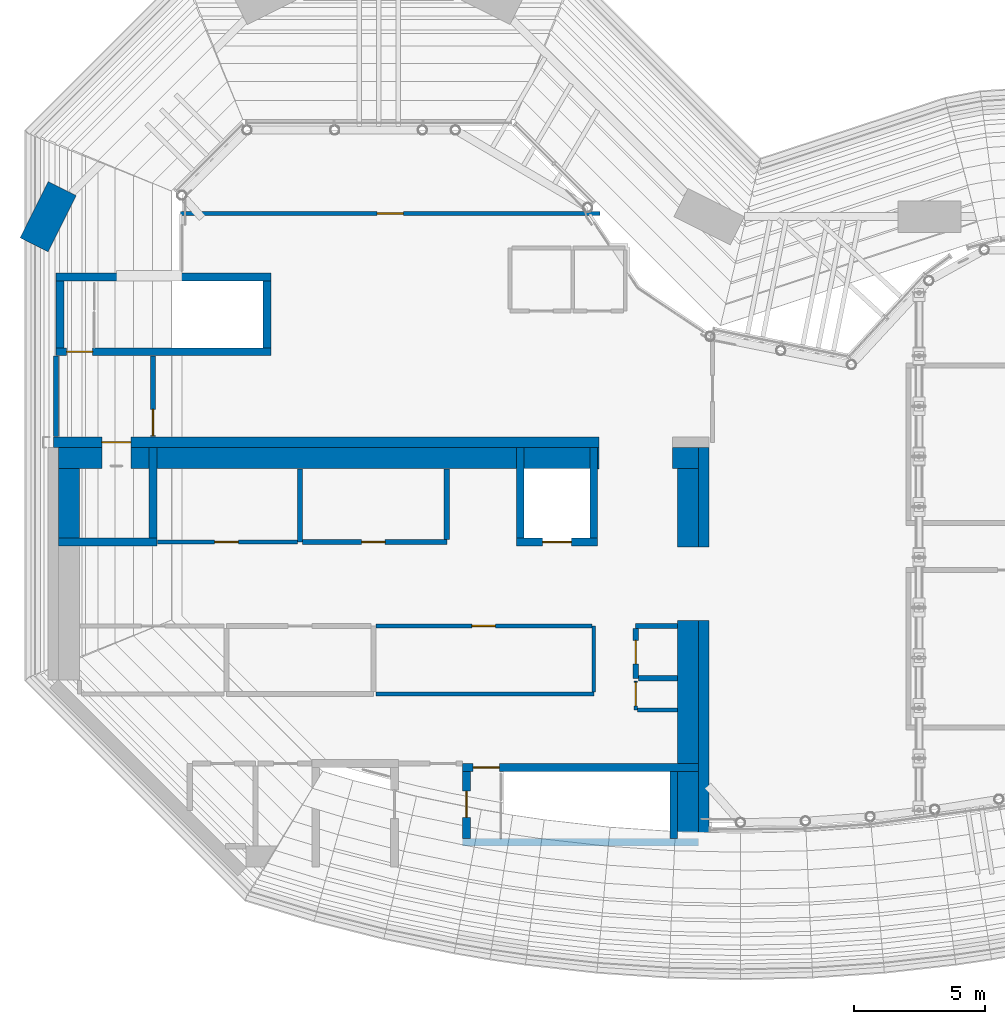
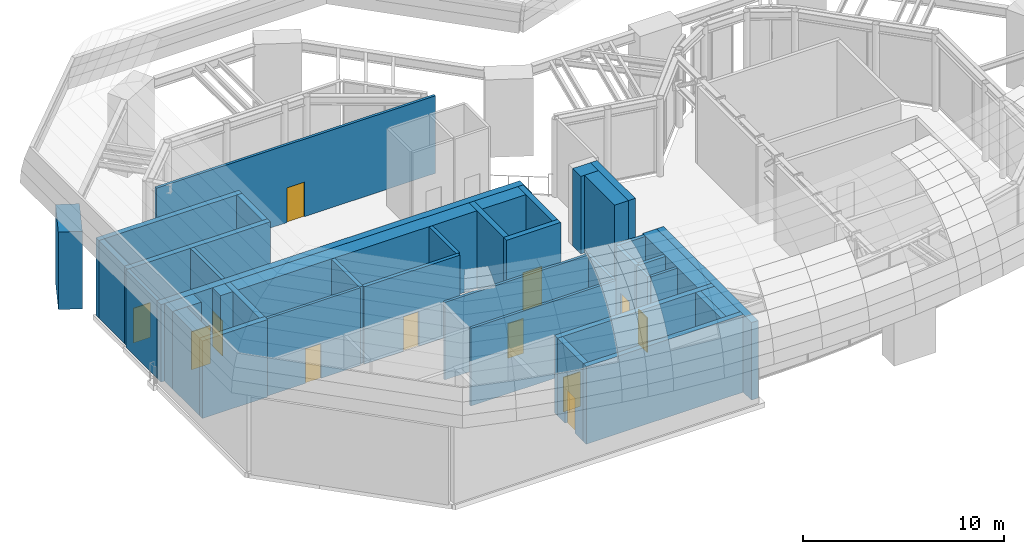
# One storey, part 17 of 20: 42 walls, 12 doors, 12 openings.
"""IFC4 building model written with IfcOpenShell, lengths in metres."""

from ifc_helpers import new_model, si_unit, direction, frame, frame_2d, origin, place, context, subcontext, project, spatial, rectangle, extrude, material, layer, layer_set, type_object, element, fill, save


model = new_model("IFC4")

# Units and contexts
model_context = context("Model", 3, precision=1e-05, world=origin(), true_north=direction((0.0, 1.0)))
body_context = subcontext(model_context, "Body", "Model", "MODEL_VIEW")
ifc_project = project(units=[si_unit("LENGTHUNIT", "METRE"), si_unit("AREAUNIT", "SQUARE_METRE"), si_unit("VOLUMEUNIT", "CUBIC_METRE"), si_unit("PLANEANGLEUNIT", "RADIAN"), si_unit("MASSUNIT", "GRAM", prefix="KILO")], contexts=[model_context])

# Site, building, storey
site_placement = place(None, origin())
site = spatial("IfcSite", under=ifc_project, at=site_placement, CompositionType="ELEMENT")
building_placement = place(site_placement, origin())
building = spatial("IfcBuilding", under=site, at=building_placement, Name="Brevane Broadcast Tower", CompositionType="ELEMENT")
storey_placement = place(building_placement, frame((0.0, 0.0, 264.199951171875)))
storey = spatial("IfcBuildingStorey", under=building, at=storey_placement, Name="L66", CompositionType="ELEMENT", Elevation=264.199951171875)

# Walls
ifc_material_1 = material(Name="Concrete C60/75", Category="concrete")
ifc_layer_1 = layer(ifc_material_1, 1.199951171875)
ifc_layer_set_1 = layer_set([ifc_layer_1], Name="CONCRETE CANOPY PIER WALL 1200 C60/75")
wall_type_1 = type_object("IfcWallType", Name="CONCRETE CANOPY PIER WALL 1200 C60/75", PredefinedType="SOLIDWALL", material=ifc_layer_set_1)
wall_1_placement = place(storey_placement, frame((0.53662109375, 26.273193359375, 0.0), z_axis=(0.0, 0.0, 1.0), x_axis=(-0.4472135955, -0.894427191, 0.0)))
element("IfcWall", 1, at=wall_1_placement, inside=storey, type_object=wall_type_1, Name="CP1 1", PredefinedType="SOLIDWALL", context=body_context, shape_type="SweptSolid", body=[
    extrude(rectangle(XDim=2.39990234375, YDim=1.199951171875, at=frame_2d((1.199951171875, 0.0))), origin(), (0.0, 0.0, 1.0), 4.699951171875),
])
ifc_material_2 = material(Name="Concrete C32/40", Category="concrete")
ifc_layer_2 = layer(ifc_material_2, 0.800048828125)
ifc_layer_set_2 = layer_set([ifc_layer_2], Name="Core chase wall 800 mm")
wall_type_2 = type_object("IfcWallType", Name="Core chase wall 800 mm", PredefinedType="PARTITIONING", material=ifc_layer_set_2)
wall_2_placement = place(storey_placement, frame((24.39990234375, 12.60009765625, 0.0), z_axis=(0.0, 0.0, 1.0), x_axis=(0.0, 1.0, 0.0)))
element("IfcWall", 2, at=wall_2_placement, inside=storey, type_object=wall_type_2, Name="L66 chase wall LE2", PredefinedType="PARTITIONING", context=body_context, shape_type="SweptSolid", body=[
    extrude(rectangle(XDim=3.0, YDim=0.800048828125, at=frame_2d((1.5, 0.0))), origin(), (0.0, 0.0, 1.0), 4.699951171875),
])
wall_3_placement = place(storey_placement, frame((0.39990234375, 16.0, 0.0), z_axis=(0.0, 0.0, 1.0), x_axis=(1.0, 0.0, 0.0)))
element("IfcWall", 3, at=wall_3_placement, inside=storey, type_object=wall_type_2, Name="L66 chase wall LN0", PredefinedType="PARTITIONING", context=body_context, shape_type="SweptSolid", body=[
    extrude(rectangle(XDim=1.650146484375, YDim=0.800048828125, at=frame_2d((0.8251953125, 0.0))), origin(), (0.0, 0.0, 1.0), 4.699951171875),
])
wall_4_placement = place(storey_placement, frame((23.800048828125, 16.0, 0.0), z_axis=(0.0, 0.0, 1.0), x_axis=(1.0, 0.0, 0.0)))
element("IfcWall", 4, at=wall_4_placement, inside=storey, type_object=wall_type_2, Name="L66 chase wall LN2", PredefinedType="PARTITIONING", context=body_context, shape_type="SweptSolid", body=[
    extrude(rectangle(XDim=1.0, YDim=0.800048828125, at=frame_2d((0.5, 0.0))), origin(), (0.0, 0.0, 1.0), 4.699951171875),
])
wall_5_placement = place(storey_placement, frame((0.800048828125, 12.949951171875, 0.0), z_axis=(0.0, 0.0, 1.0), x_axis=(0.0, 1.0, 0.0)))
element("IfcWall", 5, at=wall_5_placement, inside=storey, type_object=wall_type_2, Name="L66 chase wall LW-2", PredefinedType="PARTITIONING", context=body_context, shape_type="SweptSolid", body=[
    extrude(rectangle(XDim=2.650146484375, YDim=0.800048828125, at=frame_2d((1.3251953125, 0.0))), origin(), (0.0, 0.0, 1.0), 4.699951171875),
])
wall_6_placement = place(storey_placement, frame((3.14990234375, 16.0, 0.0), z_axis=(0.0, 0.0, 1.0), x_axis=(1.0, 0.0, 0.0)))
element("IfcWall", 6, at=wall_6_placement, inside=storey, type_object=wall_type_2, Name="L66 chase wall LN1-1", PredefinedType="PARTITIONING", context=body_context, shape_type="SweptSolid", body=[
    extrude(rectangle(XDim=0.7001953125, YDim=0.800048828125, at=frame_2d((0.35009765625, 0.0))), origin(), (0.0, 0.0, 1.0), 4.699951171875),
])
wall_7_placement = place(storey_placement, frame((4.14990234375, 16.0, 0.0), z_axis=(0.0, 0.0, 1.0), x_axis=(1.0, 0.0, 0.0)))
element("IfcWall", 7, at=wall_7_placement, inside=storey, type_object=wall_type_2, Name="L66 chase wall LN1-2-1", PredefinedType="PARTITIONING", context=body_context, shape_type="SweptSolid", body=[
    extrude(rectangle(XDim=13.7001953125, YDim=0.800048828125, at=frame_2d((6.85009765625, 0.0))), origin(), (0.0, 0.0, 1.0), 4.699951171875),
])
wall_8_placement = place(storey_placement, frame((18.14990234375, 16.0, 0.0), z_axis=(0.0, 0.0, 1.0), x_axis=(1.0, 0.0, 0.0)))
element("IfcWall", 8, at=wall_8_placement, inside=storey, type_object=wall_type_2, Name="L66 chase wall LN1-2-2-1", PredefinedType="PARTITIONING", context=body_context, shape_type="SweptSolid", body=[
    extrude(rectangle(XDim=2.5, YDim=0.800048828125, at=frame_2d((1.25, 0.0))), origin(), (0.0, 0.0, 1.0), 4.699951171875),
])
wall_9_placement = place(storey_placement, frame((20.949951171875, 16.0, 0.0), z_axis=(0.0, 0.0, 1.0), x_axis=(1.0, 0.0, 0.0)))
element("IfcWall", 9, at=wall_9_placement, inside=storey, type_object=wall_type_2, Name="L66 chase wall LN1-2-2-2", PredefinedType="PARTITIONING", context=body_context, shape_type="SweptSolid", body=[
    extrude(rectangle(XDim=0.050048828125, YDim=0.800048828125, at=frame_2d((0.02490234375, 0.0))), origin(), (0.0, 0.0, 1.0), 4.699951171875),
])
wall_10_placement = place(storey_placement, frame((24.39990234375, 1.5, 0.0), z_axis=(0.0, 0.0, 1.0), x_axis=(0.0, 1.0, 0.0)))
element("IfcWall", 10, at=wall_10_placement, inside=storey, type_object=wall_type_2, Name="L66 chase wall LE1-2-1", PredefinedType="PARTITIONING", context=body_context, shape_type="SweptSolid", body=[
    extrude(rectangle(XDim=2.550048828125, YDim=0.800048828125, at=frame_2d((1.27490234375, 0.0))), origin(), (0.0, 0.0, 1.0), 4.699951171875),
])
wall_11_placement = place(storey_placement, frame((24.39990234375, 4.35009765625, 0.0), z_axis=(0.0, 0.0, 1.0), x_axis=(0.0, 1.0, 0.0)))
element("IfcWall", 11, at=wall_11_placement, inside=storey, type_object=wall_type_2, Name="L66 chase wall LE1-2-2", PredefinedType="PARTITIONING", context=body_context, shape_type="SweptSolid", body=[
    extrude(rectangle(XDim=5.449951171875, YDim=0.800048828125, at=frame_2d((2.72509765625, 0.0))), origin(), (0.0, 0.0, 1.0), 4.699951171875),
])

# Wall, opening, door
ifc_material_3 = material(Name="Gypsum board on steel studs", Category="steel")
ifc_layer_3 = layer(ifc_material_3, 0.14990234375)
ifc_layer_set_3 = layer_set([ifc_layer_3], Name="Core fire partition 150 mm")
wall_type_3 = type_object("IfcWallType", Name="Core fire partition 150 mm", PredefinedType="PARTITIONING", material=ifc_layer_set_3)
wall_12_placement = place(storey_placement, frame((4.162109375, 12.800048828125, 0.0), z_axis=(0.0, 0.0, 1.0), x_axis=(1.0, 0.0, 0.0)))
wall_12 = element("IfcWall", 12, at=wall_12_placement, inside=storey, type_object=wall_type_3, Name="L66 partition wall P19", PredefinedType="PARTITIONING", context=body_context, shape_type="SweptSolid", body=[
    extrude(rectangle(XDim=5.337890625, YDim=0.14990234375, at=frame_2d((2.6689453125, 0.0))), origin(), (0.0, 0.0, 1.0), 4.699951171875),
])
opening_1_placement = place(wall_12_placement, frame((2.18798828125, 0.0, 0.0)))
opening_1 = element("IfcOpeningElement", 13, at=opening_1_placement, cuts=wall_12, Name="Opening L66-K12", PredefinedType="OPENING", context=body_context, shape_type="SweptSolid", body=[
    extrude(rectangle(XDim=0.89990234375, YDim=2.10009765625, at=frame_2d((0.449951171875, 1.050048828125))), frame((0.0, 0.0849609375, 0.0), z_axis=(0.0, -1.0, 0.0), x_axis=(1.0, 0.0, 0.0)), (0.0, 0.0, 1.0), 0.169921875),
])
ifc_material_4 = material(Name="Steel", Category="steel")
door_type_1 = type_object("IfcDoorType", Name="Service room door 900 x 2100", OperationType="SINGLE_SWING_LEFT", PredefinedType="DOOR", material=ifc_material_4)
door_1_placement = place(opening_1_placement, origin())
door_1 = element("IfcDoor", 14, at=door_1_placement, inside=storey, type_object=door_type_1, Name="Door L66-K12", OperationType="SINGLE_SWING_RIGHT", OverallHeight=2.10009765625, OverallWidth=0.89990234375, PredefinedType="DOOR", context=body_context, shape_type="SweptSolid", body=[
    extrude(rectangle(XDim=0.89990234375, YDim=2.10009765625, at=frame_2d((0.449951171875, 1.050048828125))), frame((0.0, 0.02490234375, 0.0), z_axis=(0.0, -1.0, 0.0), x_axis=(1.0, 0.0, 0.0)), (0.0, 0.0, 1.0), 0.050048828125),
])
fill(opening_1, door_1)

# Walls
wall_13_placement = place(storey_placement, frame((12.5, 7.0, 0.0), z_axis=(0.0, 0.0, 1.0), x_axis=(1.0, 0.0, 0.0)))
element("IfcWall", 15, at=wall_13_placement, inside=storey, type_object=wall_type_3, Name="L66 partition wall P23", PredefinedType="PARTITIONING", context=body_context, shape_type="SweptSolid", body=[
    extrude(rectangle(XDim=8.300048828125, YDim=0.14990234375, at=frame_2d((4.14990234375, 0.0))), origin(), (0.0, 0.0, 1.0), 4.699951171875),
])
wall_14_placement = place(storey_placement, frame((20.800048828125, 7.074951171875, 0.0), z_axis=(0.0, 0.0, 1.0), x_axis=(0.0, 1.0, 0.0)))
element("IfcWall", 16, at=wall_14_placement, inside=storey, type_object=wall_type_3, Name="L66 partition wall P24", PredefinedType="PARTITIONING", context=body_context, shape_type="SweptSolid", body=[
    extrude(rectangle(XDim=2.525146484375, YDim=0.14990234375, at=frame_2d((1.2626953125, 0.0))), origin(), (0.0, 0.0, 1.0), 4.699951171875),
])

# Wall, opening, door
wall_15_placement = place(storey_placement, frame((20.72509765625, 9.60009765625, 0.0), z_axis=(0.0, 0.0, 1.0), x_axis=(-1.0, 0.0, 0.0)))
wall_15 = element("IfcWall", 17, at=wall_15_placement, inside=storey, type_object=wall_type_3, Name="L66 partition wall P25", PredefinedType="PARTITIONING", context=body_context, shape_type="SweptSolid", body=[
    extrude(rectangle(XDim=8.22509765625, YDim=0.14990234375, at=frame_2d((4.112548828125, 0.0))), origin(), (0.0, 0.0, 1.0), 4.699951171875),
])
opening_2_placement = place(wall_15_placement, frame((3.675048828125, 0.0, 0.0)))
opening_2 = element("IfcOpeningElement", 18, at=opening_2_placement, cuts=wall_15, Name="Opening L66-K16", PredefinedType="OPENING", context=body_context, shape_type="SweptSolid", body=[
    extrude(rectangle(XDim=0.89990234375, YDim=2.10009765625, at=frame_2d((0.449951171875, 1.050048828125))), frame((0.0, 0.0849609375, 0.0), z_axis=(0.0, -1.0, 0.0), x_axis=(1.0, 0.0, 0.0)), (0.0, 0.0, 1.0), 0.169921875),
])
door_2_placement = place(opening_2_placement, origin())
door_2 = element("IfcDoor", 19, at=door_2_placement, inside=storey, type_object=door_type_1, Name="Door L66-K16", OperationType="SINGLE_SWING_RIGHT", OverallHeight=2.10009765625, OverallWidth=0.89990234375, PredefinedType="DOOR", context=body_context, shape_type="SweptSolid", body=[
    extrude(rectangle(XDim=0.89990234375, YDim=2.10009765625, at=frame_2d((0.449951171875, 1.050048828125))), frame((0.0, 0.02490234375, 0.0), z_axis=(0.0, -1.0, 0.0), x_axis=(1.0, 0.0, 0.0)), (0.0, 0.0, 1.0), 0.050048828125),
])
fill(opening_2, door_2)

wall_16_placement = place(storey_placement, frame((22.39990234375, 7.5, 0.0), z_axis=(0.0, 0.0, 1.0), x_axis=(0.0, -1.0, 0.0)))
wall_16 = element("IfcWall", 20, at=wall_16_placement, inside=storey, type_object=wall_type_3, Name="L66 partition wall P33", PredefinedType="PARTITIONING", context=body_context, shape_type="SweptSolid", body=[
    extrude(rectangle(XDim=1.10009765625, YDim=0.14990234375, at=frame_2d((0.550048828125, 0.0))), origin(), (0.0, 0.0, 1.0), 4.699951171875),
])
opening_3_placement = place(wall_16_placement, frame((0.050048828125, 0.0, 0.0)))
opening_3 = element("IfcOpeningElement", 21, at=opening_3_placement, cuts=wall_16, Name="Opening L66-K10", PredefinedType="OPENING", context=body_context, shape_type="SweptSolid", body=[
    extrude(rectangle(XDim=0.89990234375, YDim=2.10009765625, at=frame_2d((0.449951171875, 1.050048828125))), frame((0.0, 0.0849609375, 0.0), z_axis=(0.0, -1.0, 0.0), x_axis=(1.0, 0.0, 0.0)), (0.0, 0.0, 1.0), 0.169921875),
])
door_3_placement = place(opening_3_placement, origin())
door_3 = element("IfcDoor", 22, at=door_3_placement, inside=storey, type_object=door_type_1, Name="Door L66-K10", OperationType="SINGLE_SWING_RIGHT", OverallHeight=2.10009765625, OverallWidth=0.89990234375, PredefinedType="DOOR", context=body_context, shape_type="SweptSolid", body=[
    extrude(rectangle(XDim=0.89990234375, YDim=2.10009765625, at=frame_2d((0.449951171875, 1.050048828125))), frame((0.0, 0.02490234375, 0.0), z_axis=(0.0, -1.0, 0.0), x_axis=(1.0, 0.0, 0.0)), (0.0, 0.0, 1.0), 0.050048828125),
])
fill(opening_3, door_3)

# Walls
wall_17_placement = place(storey_placement, frame((22.47509765625, 6.39990234375, 0.0), z_axis=(0.0, 0.0, 1.0), x_axis=(1.0, 0.0, 0.0)))
element("IfcWall", 23, at=wall_17_placement, inside=storey, type_object=wall_type_3, Name="L66 partition wall P34", PredefinedType="PARTITIONING", context=body_context, shape_type="SweptSolid", body=[
    extrude(rectangle(XDim=1.512939453125, YDim=0.14990234375, at=frame_2d((0.75634765625, 0.0))), origin(), (0.0, 0.0, 1.0), 4.699951171875),
])
ifc_layer_4 = layer(ifc_material_3, 0.199951171875)
ifc_layer_set_4 = layer_set([ifc_layer_4], Name="Core fire partition 200 mm")
wall_type_4 = type_object("IfcWallType", Name="Core fire partition 200 mm", PredefinedType="PARTITIONING", material=ifc_layer_set_4)
wall_18_placement = place(storey_placement, frame((0.300048828125, 16.81201171875, 0.0), z_axis=(0.0, 0.0, 1.0), x_axis=(0.0, 1.0, 0.0)))
element("IfcWall", 24, at=wall_18_placement, inside=storey, type_object=wall_type_4, Name="L66 partition wall P01", PredefinedType="PARTITIONING", context=body_context, shape_type="SweptSolid", body=[
    extrude(rectangle(XDim=3.075927734375, YDim=0.199951171875, at=frame_2d((1.5380859375, 0.0))), origin(), (0.0, 0.0, 1.0), 4.699951171875),
])

# Wall, opening, door
wall_19_placement = place(storey_placement, frame((4.0, 19.887939453125, 0.0), z_axis=(0.0, 0.0, 1.0), x_axis=(0.0, -1.0, 0.0)))
wall_19 = element("IfcWall", 25, at=wall_19_placement, inside=storey, type_object=wall_type_4, Name="L66 partition wall P02", PredefinedType="PARTITIONING", context=body_context, shape_type="SweptSolid", body=[
    extrude(rectangle(XDim=3.075927734375, YDim=0.199951171875, at=frame_2d((1.5380859375, 0.0))), origin(), (0.0, 0.0, 1.0), 4.699951171875),
])
opening_4_placement = place(wall_19_placement, frame((2.0380859375, 0.0, 0.0)))
opening_4 = element("IfcOpeningElement", 26, at=opening_4_placement, cuts=wall_19, Name="Opening L66-K17", PredefinedType="OPENING", context=body_context, shape_type="SweptSolid", body=[
    extrude(rectangle(XDim=1.0, YDim=2.10009765625, at=frame_2d((0.5, 1.050048828125))), frame((0.0, 0.10986328125, 0.0), z_axis=(0.0, -1.0, 0.0), x_axis=(1.0, 0.0, 0.0)), (0.0, 0.0, 1.0), 0.219970703125),
])
door_type_2 = type_object("IfcDoorType", Name="Stair door 1000 x 2100", OperationType="SINGLE_SWING_LEFT", PredefinedType="DOOR", material=ifc_material_4)
door_4_placement = place(opening_4_placement, origin())
door_4 = element("IfcDoor", 27, at=door_4_placement, inside=storey, type_object=door_type_2, Name="Door L66-K17", OperationType="SINGLE_SWING_LEFT", OverallHeight=2.10009765625, OverallWidth=1.0, PredefinedType="DOOR", context=body_context, shape_type="SweptSolid", body=[
    extrude(rectangle(XDim=1.0, YDim=2.10009765625, at=frame_2d((0.5, 1.050048828125))), frame((0.0, 0.02490234375, 0.0), z_axis=(0.0, -1.0, 0.0), x_axis=(1.0, 0.0, 0.0)), (0.0, 0.0, 1.0), 0.050048828125),
])
fill(opening_4, door_4)

# Wall
wall_20_placement = place(storey_placement, frame((9.60009765625, 15.587890625, 0.0), z_axis=(0.0, 0.0, 1.0), x_axis=(0.0, -1.0, 0.0)))
element("IfcWall", 28, at=wall_20_placement, inside=storey, type_object=wall_type_4, Name="L66 partition wall P09", PredefinedType="PARTITIONING", context=body_context, shape_type="SweptSolid", body=[
    extrude(rectangle(XDim=2.787841796875, YDim=0.199951171875, at=frame_2d((1.39404296875, 0.0))), origin(), (0.0, 0.0, 1.0), 4.699951171875),
])

# Wall, opening, door
wall_21_placement = place(storey_placement, frame((9.699951171875, 12.800048828125, 0.0), z_axis=(0.0, 0.0, 1.0), x_axis=(1.0, 0.0, 0.0)))
wall_21 = element("IfcWall", 29, at=wall_21_placement, inside=storey, type_object=wall_type_4, Name="L66 partition wall P10", PredefinedType="PARTITIONING", context=body_context, shape_type="SweptSolid", body=[
    extrude(rectangle(XDim=5.5, YDim=0.199951171875, at=frame_2d((2.75, 0.0))), origin(), (0.0, 0.0, 1.0), 4.699951171875),
])
opening_5_placement = place(wall_21_placement, frame((2.25, 0.0, 0.0)))
opening_5 = element("IfcOpeningElement", 30, at=opening_5_placement, cuts=wall_21, Name="Opening L66-K13", PredefinedType="OPENING", context=body_context, shape_type="SweptSolid", body=[
    extrude(rectangle(XDim=0.89990234375, YDim=2.10009765625, at=frame_2d((0.449951171875, 1.050048828125))), frame((0.0, 0.10986328125, 0.0), z_axis=(0.0, -1.0, 0.0), x_axis=(1.0, 0.0, 0.0)), (0.0, 0.0, 1.0), 0.219970703125),
])
door_5_placement = place(opening_5_placement, origin())
door_5 = element("IfcDoor", 31, at=door_5_placement, inside=storey, type_object=door_type_1, Name="Door L66-K13", OperationType="SINGLE_SWING_LEFT", OverallHeight=2.10009765625, OverallWidth=0.89990234375, PredefinedType="DOOR", context=body_context, shape_type="SweptSolid", body=[
    extrude(rectangle(XDim=0.89990234375, YDim=2.10009765625, at=frame_2d((0.449951171875, 1.050048828125))), frame((0.0, 0.02490234375, 0.0), z_axis=(0.0, -1.0, 0.0), x_axis=(1.0, 0.0, 0.0)), (0.0, 0.0, 1.0), 0.050048828125),
])
fill(opening_5, door_5)

# Walls
wall_22_placement = place(storey_placement, frame((15.199951171875, 12.89990234375, 0.0), z_axis=(0.0, 0.0, 1.0), x_axis=(0.0, 1.0, 0.0)))
element("IfcWall", 32, at=wall_22_placement, inside=storey, type_object=wall_type_4, Name="L66 partition wall P11", PredefinedType="PARTITIONING", context=body_context, shape_type="SweptSolid", body=[
    extrude(rectangle(XDim=2.68798828125, YDim=0.199951171875, at=frame_2d((1.343994140625, 0.0))), origin(), (0.0, 0.0, 1.0), 4.699951171875),
])
wall_23_placement = place(storey_placement, frame((23.988037109375, 9.60009765625, 0.0), z_axis=(0.0, 0.0, 1.0), x_axis=(-1.0, 0.0, 0.0)))
element("IfcWall", 33, at=wall_23_placement, inside=storey, type_object=wall_type_4, Name="L66 partition wall P12", PredefinedType="PARTITIONING", context=body_context, shape_type="SweptSolid", body=[
    extrude(rectangle(XDim=1.588134765625, YDim=0.199951171875, at=frame_2d((0.7939453125, 0.0))), origin(), (0.0, 0.0, 1.0), 4.699951171875),
])

# Wall, opening, door
wall_24_placement = place(storey_placement, frame((22.39990234375, 9.5, 0.0), z_axis=(0.0, 0.0, 1.0), x_axis=(0.0, -1.0, 0.0)))
wall_24 = element("IfcWall", 34, at=wall_24_placement, inside=storey, type_object=wall_type_4, Name="L66 partition wall P13", PredefinedType="PARTITIONING", context=body_context, shape_type="SweptSolid", body=[
    extrude(rectangle(XDim=1.89990234375, YDim=0.199951171875, at=frame_2d((0.949951171875, 0.0))), origin(), (0.0, 0.0, 1.0), 4.699951171875),
])
opening_6_placement = place(wall_24_placement, frame((0.449951171875, 0.0, 0.0)))
opening_6 = element("IfcOpeningElement", 35, at=opening_6_placement, cuts=wall_24, Name="Opening L66-K11", PredefinedType="OPENING", context=body_context, shape_type="SweptSolid", body=[
    extrude(rectangle(XDim=0.89990234375, YDim=2.10009765625, at=frame_2d((0.449951171875, 1.050048828125))), frame((0.0, 0.10986328125, 0.0), z_axis=(0.0, -1.0, 0.0), x_axis=(1.0, 0.0, 0.0)), (0.0, 0.0, 1.0), 0.219970703125),
])
door_6_placement = place(opening_6_placement, origin())
door_6 = element("IfcDoor", 36, at=door_6_placement, inside=storey, type_object=door_type_1, Name="Door L66-K11", OperationType="SINGLE_SWING_LEFT", OverallHeight=2.10009765625, OverallWidth=0.89990234375, PredefinedType="DOOR", context=body_context, shape_type="SweptSolid", body=[
    extrude(rectangle(XDim=0.89990234375, YDim=2.10009765625, at=frame_2d((0.449951171875, 1.050048828125))), frame((0.0, 0.02490234375, 0.0), z_axis=(0.0, -1.0, 0.0), x_axis=(1.0, 0.0, 0.0)), (0.0, 0.0, 1.0), 0.050048828125),
])
fill(opening_6, door_6)

# Walls
wall_25_placement = place(storey_placement, frame((22.5, 7.60009765625, 0.0), z_axis=(0.0, 0.0, 1.0), x_axis=(1.0, 0.0, 0.0)))
element("IfcWall", 37, at=wall_25_placement, inside=storey, type_object=wall_type_4, Name="L66 partition wall P14", PredefinedType="PARTITIONING", context=body_context, shape_type="SweptSolid", body=[
    extrude(rectangle(XDim=1.488037109375, YDim=0.199951171875, at=frame_2d((0.744140625, 0.0))), origin(), (0.0, 0.0, 1.0), 4.699951171875),
])
ifc_material_5 = material(Name="Concrete C50/60", Category="concrete")
ifc_layer_5 = layer(ifc_material_5, 0.300048828125)
ifc_layer_set_5 = layer_set([ifc_layer_5], Name="Core wall 300 mm C50/60")
wall_type_5 = type_object("IfcWallType", Name="Core wall 300 mm C50/60", PredefinedType="SHEAR", material=ifc_layer_set_5)
wall_26_placement = place(storey_placement, frame((0.39990234375, 12.800048828125, 0.0), z_axis=(0.0, 0.0, 1.0), x_axis=(1.0, 0.0, 0.0)))
element("IfcWall", 38, at=wall_26_placement, inside=storey, type_object=wall_type_5, Name="L66 shaft wall SH-N012-front", PredefinedType="SHEAR", context=body_context, shape_type="SweptSolid", body=[
    extrude(rectangle(XDim=3.75, YDim=0.300048828125, at=frame_2d((1.875, 0.0))), origin(), (0.0, 0.0, 1.0), 4.699951171875),
])
wall_27_placement = place(storey_placement, frame((4.0, 12.949951171875, 0.0), z_axis=(0.0, 0.0, 1.0), x_axis=(0.0, 1.0, 0.0)))
element("IfcWall", 39, at=wall_27_placement, inside=storey, type_object=wall_type_5, Name="L66 shaft wall SH-N-P040", PredefinedType="SHEAR", context=body_context, shape_type="SweptSolid", body=[
    extrude(rectangle(XDim=3.449951171875, YDim=0.300048828125, at=frame_2d((1.72509765625, 0.0))), origin(), (0.0, 0.0, 1.0), 4.699951171875),
])

# Wall, opening, door
wall_28_placement = place(storey_placement, frame((17.85009765625, 12.800048828125, 0.0), z_axis=(0.0, 0.0, 1.0), x_axis=(1.0, 0.0, 0.0)))
wall_28 = element("IfcWall", 40, at=wall_28_placement, inside=storey, type_object=wall_type_5, Name="L66 shaft wall SH-N180-front", PredefinedType="SHEAR", context=body_context, shape_type="SweptSolid", body=[
    extrude(rectangle(XDim=3.099853515625, YDim=0.300048828125, at=frame_2d((1.5498046875, 0.0))), origin(), (0.0, 0.0, 1.0), 4.699951171875),
])
opening_7_placement = place(wall_28_placement, frame((1.0, 0.0, 0.0)))
opening_7 = element("IfcOpeningElement", 41, at=opening_7_placement, cuts=wall_28, Name="Opening LD", PredefinedType="OPENING", context=body_context, shape_type="SweptSolid", body=[
    extrude(rectangle(XDim=1.10009765625, YDim=2.300048828125, at=frame_2d((0.550048828125, 1.14990234375))), frame((0.0, 0.159912109375, 0.0), z_axis=(0.0, -1.0, 0.0), x_axis=(1.0, 0.0, 0.0)), (0.0, 0.0, 1.0), 0.320068359375),
])
ifc_material_6 = material(Name="Stainless steel", Category="steel")
door_type_3 = type_object("IfcDoorType", Name="Lift landing door", OperationType="SLIDING_TO_LEFT", PredefinedType="DOOR", material=ifc_material_6)
door_7_placement = place(opening_7_placement, origin())
door_7 = element("IfcDoor", 42, at=door_7_placement, inside=storey, type_object=door_type_3, Name="Landing door SL1 L66", OperationType="SLIDING_TO_LEFT", OverallHeight=2.300048828125, OverallWidth=1.10009765625, PredefinedType="DOOR", context=body_context, shape_type="SweptSolid", body=[
    extrude(rectangle(XDim=1.10009765625, YDim=2.300048828125, at=frame_2d((0.550048828125, 1.14990234375))), frame((0.0, 0.02490234375, 0.0), z_axis=(0.0, -1.0, 0.0), x_axis=(1.0, 0.0, 0.0)), (0.0, 0.0, 1.0), 0.050048828125),
])
fill(opening_7, door_7)

# Walls
for number, where, z_axis, x_axis, name in (
    (43, (18.0, 12.949951171875, 0.0), (0.0, 0.0, 1.0), (0.0, 1.0, 0.0), "L66 shaft wall SH-N-P180"),
    (44, (20.800048828125, 12.949951171875, 0.0), (0.0, 0.0, 1.0), (0.0, 1.0, 0.0), "L66 shaft wall SH-N-P208"),
):
    element("IfcWall", number, at=place(storey_placement, frame(where, z_axis=z_axis, x_axis=x_axis)), inside=storey, type_object=wall_type_5, Name=name, PredefinedType="SHEAR", context=body_context, shape_type="SweptSolid", body=[
        extrude(rectangle(XDim=3.449951171875, YDim=0.300048828125, at=frame_2d((1.72509765625, 0.0))), origin(), (0.0, 0.0, 1.0), 4.699951171875),
    ])

# Wall, opening, door
wall_29_placement = place(storey_placement, frame((8.5, 20.050048828125, 0.0), z_axis=(0.0, 0.0, 1.0), x_axis=(-1.0, 0.0, 0.0)))
wall_29 = element("IfcWall", 45, at=wall_29_placement, inside=storey, type_object=wall_type_5, Name="L66 stair wall ST-1-S", PredefinedType="SHEAR", context=body_context, shape_type="SweptSolid", body=[
    extrude(rectangle(XDim=8.199951171875, YDim=0.300048828125, at=frame_2d((4.10009765625, 0.0))), origin(), (0.0, 0.0, 1.0), 4.699951171875),
])
opening_8_placement = place(wall_29_placement, frame((6.800048828125, 0.0, 0.0)))
opening_8 = element("IfcOpeningElement", 46, at=opening_8_placement, cuts=wall_29, Name="Opening L66-K04", PredefinedType="OPENING", context=body_context, shape_type="SweptSolid", body=[
    extrude(rectangle(XDim=1.0, YDim=2.10009765625, at=frame_2d((0.5, 1.050048828125))), frame((0.0, 0.159912109375, 0.0), z_axis=(0.0, -1.0, 0.0), x_axis=(1.0, 0.0, 0.0)), (0.0, 0.0, 1.0), 0.320068359375),
])
door_8_placement = place(opening_8_placement, origin())
door_8 = element("IfcDoor", 47, at=door_8_placement, inside=storey, type_object=door_type_2, Name="Door L66-K04", OperationType="SINGLE_SWING_RIGHT", OverallHeight=2.10009765625, OverallWidth=1.0, PredefinedType="DOOR", context=body_context, shape_type="SweptSolid", body=[
    extrude(rectangle(XDim=1.0, YDim=2.10009765625, at=frame_2d((0.5, 1.050048828125))), frame((0.0, 0.02490234375, 0.0), z_axis=(0.0, -1.0, 0.0), x_axis=(1.0, 0.0, 0.0)), (0.0, 0.0, 1.0), 0.050048828125),
])
fill(opening_8, door_8)

# Walls
wall_30_placement = place(storey_placement, frame((0.300048828125, 22.89990234375, 0.0), z_axis=(0.0, 0.0, 1.0), x_axis=(1.0, 0.0, 0.0)))
element("IfcWall", 48, at=wall_30_placement, inside=storey, type_object=wall_type_5, Name="L66 stair wall ST-1-N", PredefinedType="SHEAR", context=body_context, shape_type="SweptSolid", body=[
    extrude(rectangle(XDim=8.199951171875, YDim=0.300048828125, at=frame_2d((4.10009765625, 0.0))), origin(), (0.0, 0.0, 1.0), 4.699951171875),
])
for number, where, z_axis, x_axis, name in (
    (49, (0.449951171875, 20.199951171875, 0.0), (0.0, 0.0, 1.0), (0.0, 1.0, 0.0), "L66 stair wall ST-1-W"),
    (50, (8.35009765625, 20.199951171875, 0.0), (0.0, 0.0, 1.0), (0.0, 1.0, 0.0), "L66 stair wall ST-1-E"),
):
    element("IfcWall", number, at=place(storey_placement, frame(where, z_axis=z_axis, x_axis=x_axis)), inside=storey, type_object=wall_type_5, Name=name, PredefinedType="SHEAR", context=body_context, shape_type="SweptSolid", body=[
        extrude(rectangle(XDim=2.550048828125, YDim=0.300048828125, at=frame_2d((1.27490234375, 0.0))), origin(), (0.0, 0.0, 1.0), 4.699951171875),
    ])
wall_31_placement = place(storey_placement, frame((15.800048828125, 1.35009765625, 0.0), z_axis=(0.0, 0.0, 1.0), x_axis=(1.0, 0.0, 0.0)))
element("IfcWall", 51, at=wall_31_placement, inside=storey, type_object=wall_type_5, Name="L66 stair wall ST-2-S", PredefinedType="SHEAR", context=body_context, shape_type="SweptSolid", body=[
    extrude(rectangle(XDim=9.0, YDim=0.300048828125, at=frame_2d((4.5, 0.0))), origin(), (0.0, 0.0, 1.0), 4.699951171875),
])

# Wall, opening, door
wall_32_placement = place(storey_placement, frame((15.800048828125, 4.199951171875, 0.0), z_axis=(0.0, 0.0, 1.0), x_axis=(1.0, 0.0, 0.0)))
wall_32 = element("IfcWall", 52, at=wall_32_placement, inside=storey, type_object=wall_type_5, Name="L66 stair wall ST-2-N", PredefinedType="SHEAR", context=body_context, shape_type="SweptSolid", body=[
    extrude(rectangle(XDim=9.0, YDim=0.300048828125, at=frame_2d((4.5, 0.0))), origin(), (0.0, 0.0, 1.0), 4.699951171875),
])
opening_9_placement = place(wall_32_placement, frame((0.39990234375, 0.0, 0.0)))
opening_9 = element("IfcOpeningElement", 53, at=opening_9_placement, cuts=wall_32, Name="Opening L66-K06", PredefinedType="OPENING", context=body_context, shape_type="SweptSolid", body=[
    extrude(rectangle(XDim=1.0, YDim=2.10009765625, at=frame_2d((0.5, 1.050048828125))), frame((0.0, 0.159912109375, 0.0), z_axis=(0.0, -1.0, 0.0), x_axis=(1.0, 0.0, 0.0)), (0.0, 0.0, 1.0), 0.320068359375),
])
door_9_placement = place(opening_9_placement, origin())
door_9 = element("IfcDoor", 54, at=door_9_placement, inside=storey, type_object=door_type_2, Name="Door L66-K06", OperationType="SINGLE_SWING_RIGHT", OverallHeight=2.10009765625, OverallWidth=1.0, PredefinedType="DOOR", context=body_context, shape_type="SweptSolid", body=[
    extrude(rectangle(XDim=1.0, YDim=2.10009765625, at=frame_2d((0.5, 1.050048828125))), frame((0.0, 0.02490234375, 0.0), z_axis=(0.0, -1.0, 0.0), x_axis=(1.0, 0.0, 0.0)), (0.0, 0.0, 1.0), 0.050048828125),
])
fill(opening_9, door_9)

wall_33_placement = place(storey_placement, frame((15.949951171875, 1.5, 0.0), z_axis=(0.0, 0.0, 1.0), x_axis=(0.0, 1.0, 0.0)))
wall_33 = element("IfcWall", 55, at=wall_33_placement, inside=storey, type_object=wall_type_5, Name="L66 stair wall ST-2-W", PredefinedType="SHEAR", context=body_context, shape_type="SweptSolid", body=[
    extrude(rectangle(XDim=2.550048828125, YDim=0.300048828125, at=frame_2d((1.27490234375, 0.0))), origin(), (0.0, 0.0, 1.0), 4.699951171875),
])
opening_10_placement = place(wall_33_placement, frame((0.800048828125, 0.0, 0.0)))
opening_10 = element("IfcOpeningElement", 56, at=opening_10_placement, cuts=wall_33, Name="Opening L66-K05", PredefinedType="OPENING", context=body_context, shape_type="SweptSolid", body=[
    extrude(rectangle(XDim=1.0, YDim=2.10009765625, at=frame_2d((0.5, 1.050048828125))), frame((0.0, 0.159912109375, 0.0), z_axis=(0.0, -1.0, 0.0), x_axis=(1.0, 0.0, 0.0)), (0.0, 0.0, 1.0), 0.320068359375),
])
door_10_placement = place(opening_10_placement, origin())
door_10 = element("IfcDoor", 57, at=door_10_placement, inside=storey, type_object=door_type_2, Name="Door L66-K05", OperationType="SINGLE_SWING_LEFT", OverallHeight=2.10009765625, OverallWidth=1.0, PredefinedType="DOOR", context=body_context, shape_type="SweptSolid", body=[
    extrude(rectangle(XDim=1.0, YDim=2.10009765625, at=frame_2d((0.5, 1.050048828125))), frame((0.0, 0.02490234375, 0.0), z_axis=(0.0, -1.0, 0.0), x_axis=(1.0, 0.0, 0.0)), (0.0, 0.0, 1.0), 0.050048828125),
])
fill(opening_10, door_10)

# Wall
wall_34_placement = place(storey_placement, frame((23.85009765625, 1.5, 0.0), z_axis=(0.0, 0.0, 1.0), x_axis=(0.0, 1.0, 0.0)))
element("IfcWall", 58, at=wall_34_placement, inside=storey, type_object=wall_type_5, Name="L66 stair wall ST-2-E", PredefinedType="SHEAR", context=body_context, shape_type="SweptSolid", body=[
    extrude(rectangle(XDim=2.550048828125, YDim=0.300048828125, at=frame_2d((1.27490234375, 0.0))), origin(), (0.0, 0.0, 1.0), 4.699951171875),
])

# Wall, opening, door
ifc_layer_6 = layer(ifc_material_5, 0.39990234375)
ifc_layer_set_6 = layer_set([ifc_layer_6], Name="Core wall 400 mm C50/60")
wall_type_6 = type_object("IfcWallType", Name="Core wall 400 mm C50/60", PredefinedType="SHEAR", material=ifc_layer_set_6)
wall_35_placement = place(storey_placement, frame((0.197998046875, 16.60009765625, 0.0), z_axis=(0.0, 0.0, 1.0), x_axis=(1.0, 0.0, 0.0)))
wall_35 = element("IfcWall", 59, at=wall_35_placement, inside=storey, type_object=wall_type_6, Name="L66 outer wall WN1", PredefinedType="SHEAR", context=body_context, shape_type="SweptSolid", body=[
    extrude(rectangle(XDim=20.802001953125, YDim=0.39990234375, at=frame_2d((10.40087890625, 0.0))), origin(), (0.0, 0.0, 1.0), 4.699951171875),
])
opening_11_placement = place(wall_35_placement, frame((1.85205078125, 0.0, 0.0)))
opening_11 = element("IfcOpeningElement", 60, at=opening_11_placement, cuts=wall_35, Name="Opening LD", PredefinedType="OPENING", context=body_context, shape_type="SweptSolid", body=[
    extrude(rectangle(XDim=1.10009765625, YDim=2.300048828125, at=frame_2d((0.550048828125, 1.14990234375))), frame((0.0, 0.2099609375, 0.0), z_axis=(0.0, -1.0, 0.0), x_axis=(1.0, 0.0, 0.0)), (0.0, 0.0, 1.0), 0.419921875),
])
door_11_placement = place(opening_11_placement, origin())
door_11 = element("IfcDoor", 61, at=door_11_placement, inside=storey, type_object=door_type_3, Name="Landing door FF1 L66", OperationType="SLIDING_TO_LEFT", OverallHeight=2.300048828125, OverallWidth=1.10009765625, PredefinedType="DOOR", context=body_context, shape_type="SweptSolid", body=[
    extrude(rectangle(XDim=1.10009765625, YDim=2.300048828125, at=frame_2d((0.550048828125, 1.14990234375))), frame((0.0, 0.02490234375, 0.0), z_axis=(0.0, -1.0, 0.0), x_axis=(1.0, 0.0, 0.0)), (0.0, 0.0, 1.0), 0.050048828125),
])
fill(opening_11, door_11)

# Walls
wall_36_placement = place(storey_placement, frame((25.0, 0.39990234375, 0.0), z_axis=(0.0, 0.0, 1.0), x_axis=(0.0, 1.0, 0.0)))
element("IfcWall", 62, at=wall_36_placement, inside=storey, type_object=wall_type_6, Name="L66 outer wall WE1", PredefinedType="SHEAR", context=body_context, shape_type="SweptSolid", body=[
    extrude(rectangle(XDim=9.400146484375, YDim=0.39990234375, at=frame_2d((4.7001953125, 0.0))), origin(), (0.0, 0.0, 1.0), 4.699951171875),
])
wall_37_placement = place(storey_placement, frame((25.0, 12.60009765625, 0.0), z_axis=(0.0, 0.0, 1.0), x_axis=(0.0, 1.0, 0.0)))
element("IfcWall", 63, at=wall_37_placement, inside=storey, type_object=wall_type_6, Name="L66 outer wall WE2", PredefinedType="SHEAR", context=body_context, shape_type="SweptSolid", body=[
    extrude(rectangle(XDim=3.7998046875, YDim=0.39990234375, at=frame_2d((1.89990234375, 0.0))), origin(), (0.0, 0.0, 1.0), 4.699951171875),
])

# Wall, opening, door
ifc_material_7 = material(Name="Gypsum board partition")
ifc_layer_7 = layer(ifc_material_7, 0.14990234375)
ifc_layer_set_7 = layer_set([ifc_layer_7], Name="Crown partition 150")
wall_type_7 = type_object("IfcWallType", Name="Crown partition 150", PredefinedType="PARTITIONING", material=ifc_layer_set_7)
wall_38_placement = place(storey_placement, frame((21.035400390625, 25.324951171875, 0.0), z_axis=(0.0, 0.0, 1.0), x_axis=(-1.0, 0.0, 0.0)))
wall_38 = element("IfcWall", 64, at=wall_38_placement, inside=storey, type_object=wall_type_7, Name="Partition between hall and gallery", PredefinedType="PARTITIONING", context=body_context, shape_type="SweptSolid", body=[
    extrude(rectangle(XDim=15.9853515625, YDim=0.14990234375, at=frame_2d((7.99267578125, 0.0))), origin(), (0.0, 0.0, 1.0), 4.699951171875),
])
opening_12_placement = place(wall_38_placement, frame((7.49267578125, 0.0, 0.0)))
opening_12 = element("IfcOpeningElement", 65, at=opening_12_placement, cuts=wall_38, Name="Opening CR06", PredefinedType="OPENING", context=body_context, shape_type="SweptSolid", body=[
    extrude(rectangle(XDim=1.0, YDim=2.10009765625, at=frame_2d((0.5, 1.050048828125))), frame((0.0, 0.0849609375, 0.0), z_axis=(0.0, -1.0, 0.0), x_axis=(1.0, 0.0, 0.0)), (0.0, 0.0, 1.0), 0.169921875),
])
door_type_4 = type_object("IfcDoorType", Name="Plant room door 1000 x 2100", OperationType="SINGLE_SWING_LEFT", PredefinedType="DOOR", material=ifc_material_4)
door_12_placement = place(opening_12_placement, origin())
door_12 = element("IfcDoor", 66, at=door_12_placement, inside=storey, type_object=door_type_4, Name="Door", OperationType="SINGLE_SWING_LEFT", OverallHeight=2.10009765625, OverallWidth=1.0, PredefinedType="DOOR", context=body_context, shape_type="SweptSolid", body=[
    extrude(rectangle(XDim=1.0, YDim=2.10009765625, at=frame_2d((0.5, 1.050048828125))), frame((0.0, 0.02490234375, 0.0), z_axis=(0.0, -1.0, 0.0), x_axis=(1.0, 0.0, 0.0)), (0.0, 0.0, 1.0), 0.050048828125),
])
fill(opening_12, door_12)

save(model, "model.ifc")
